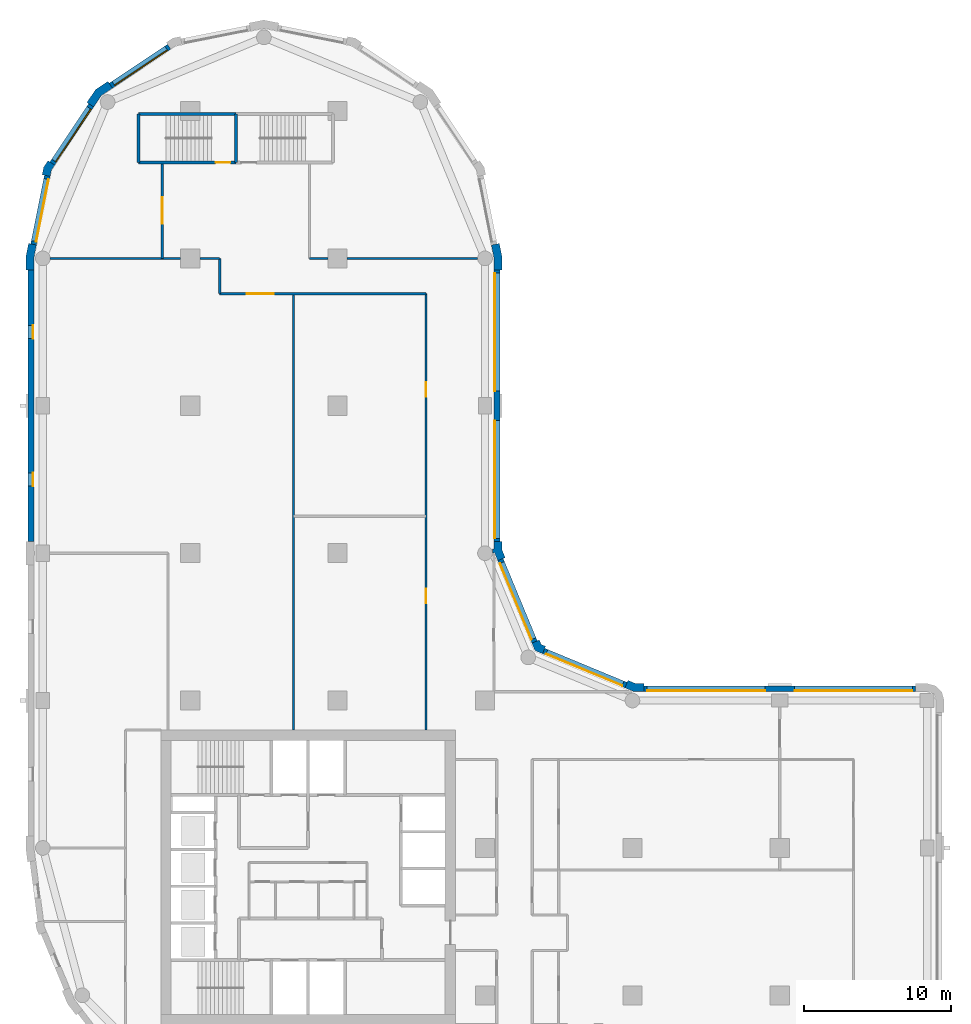
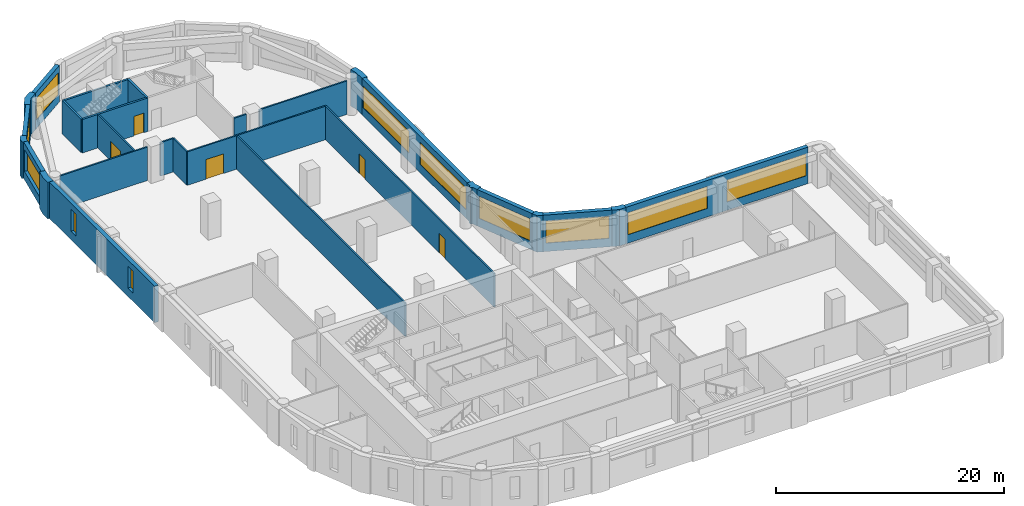
# One storey, part 6 of 9: 28 walls, 11 windows, 5 doors, 16 openings.
"""IFC4 building model written with IfcOpenShell, lengths in metres."""

from ifc_helpers import new_model, si_unit, direction, frame, frame_2d, origin, place, context, subcontext, project, spatial, polyline, rectangle, outline, extrude, material, layer, layer_set, type_object, element, fill, save


model = new_model("IFC4")

# Units and contexts
model_context = context("Model", 3, precision=1e-05, world=origin(), true_north=direction((0.0, 1.0)))
body_context = subcontext(model_context, "Body", "Model", "MODEL_VIEW")
ifc_project = project(units=[si_unit("LENGTHUNIT", "METRE"), si_unit("AREAUNIT", "SQUARE_METRE"), si_unit("VOLUMEUNIT", "CUBIC_METRE"), si_unit("PLANEANGLEUNIT", "RADIAN"), si_unit("MASSUNIT", "GRAM", prefix="KILO")], contexts=[model_context])

# Site, building, storey
site_placement = place(None, origin())
site = spatial("IfcSite", under=ifc_project, at=site_placement, CompositionType="ELEMENT")
building_placement = place(site_placement, origin())
building = spatial("IfcBuilding", under=site, at=building_placement, Name="Qaws Garden Tower", CompositionType="ELEMENT")
storey_placement = place(building_placement, frame((0.0, 0.0, 170.699951171875)))
storey = spatial("IfcBuildingStorey", under=building, at=storey_placement, Name="L41", CompositionType="ELEMENT", Elevation=170.699951171875)

# Wall, openings, windows
ifc_material_1 = material(Name="Clay facing brick masonry", Category="masonry")
ifc_layer_1 = layer(ifc_material_1, 0.39990234375)
ifc_layer_set_1 = layer_set([ifc_layer_1], Name="Clay facing brick masonry")
wall_type_1 = type_object("IfcWallType", Name="Brick infill wall 400", PredefinedType="SOLIDWALL", material=ifc_layer_set_1)
wall_1_placement = place(storey_placement, frame((59.199951171875, 30.800048828125, 0.0), z_axis=(0.0, 0.0, 1.0), x_axis=(-1.0, 0.0, 0.0)))
wall_1 = element("IfcWall", 1, at=wall_1_placement, inside=storey, type_object=wall_type_1, Name="E-L41-infill-07", PredefinedType="SOLIDWALL", context=body_context, shape_type="SweptSolid", body=[
    extrude(rectangle(XDim=18.39990234375, YDim=0.39990234375, at=frame_2d((9.199951171875, 0.0))), origin(), (0.0, 0.0, 1.0), 3.900146484375),
])
opening_1_placement = place(wall_1_placement, frame((0.199951171875, 0.0, 0.89990234375)))
opening_1 = element("IfcOpeningElement", 2, at=opening_1_placement, cuts=wall_1, Name="Opening W01", PredefinedType="OPENING", context=body_context, shape_type="SweptSolid", body=[
    extrude(rectangle(XDim=8.0, YDim=2.35009765625, at=frame_2d((4.0, 1.175048828125))), frame((0.0, 0.2099609375, 0.0), z_axis=(0.0, -1.0, 0.0), x_axis=(1.0, 0.0, 0.0)), (0.0, 0.0, 1.0), 0.419921875),
])
opening_2_placement = place(wall_1_placement, frame((10.199951171875, 0.0, 0.89990234375)))
opening_2 = element("IfcOpeningElement", 3, at=opening_2_placement, cuts=wall_1, Name="Opening W01", PredefinedType="OPENING", context=body_context, shape_type="SweptSolid", body=[
    extrude(rectangle(XDim=8.0, YDim=2.35009765625, at=frame_2d((4.0, 1.175048828125))), frame((0.0, 0.2099609375, 0.0), z_axis=(0.0, -1.0, 0.0), x_axis=(1.0, 0.0, 0.0)), (0.0, 0.0, 1.0), 0.419921875),
])
ifc_material_2 = material(Name="Aluminium framed window, clear glazing", Category="aluminium")
window_type_1 = type_object("IfcWindowType", Name="Ribbon window 8000 x 2350", PartitioningType="DOUBLE_PANEL_VERTICAL", PredefinedType="WINDOW", material=ifc_material_2)
window_1_placement = place(opening_1_placement, origin())
window_1 = element("IfcWindow", 4, at=window_1_placement, inside=storey, type_object=window_type_1, Name="E-L41-window-07-0", OverallHeight=2.35009765625, OverallWidth=8.0, PartitioningType="SINGLE_PANEL", PredefinedType="WINDOW", context=body_context, shape_type="SweptSolid", body=[
    extrude(rectangle(XDim=8.0, YDim=2.35009765625, at=frame_2d((4.0, 1.175048828125))), frame((0.0, 0.159912109375, 0.0), z_axis=(0.0, -1.0, 0.0), x_axis=(1.0, 0.0, 0.0)), (0.0, 0.0, 1.0), 0.06005859375),
])
fill(opening_1, window_1)
window_2_placement = place(opening_2_placement, origin())
window_2 = element("IfcWindow", 5, at=window_2_placement, inside=storey, type_object=window_type_1, Name="E-L41-window-08-0", OverallHeight=2.35009765625, OverallWidth=8.0, PartitioningType="SINGLE_PANEL", PredefinedType="WINDOW", context=body_context, shape_type="SweptSolid", body=[
    extrude(rectangle(XDim=8.0, YDim=2.35009765625, at=frame_2d((4.0, 1.175048828125))), frame((0.0, 0.159912109375, 0.0), z_axis=(0.0, -1.0, 0.0), x_axis=(1.0, 0.0, 0.0)), (0.0, 0.0, 1.0), 0.06005859375),
])
fill(opening_2, window_2)

# Wall, opening, window
wall_2_placement = place(storey_placement, frame((39.56689453125, 31.04541015625, 0.0), z_axis=(0.0, 0.0, 1.0), x_axis=(-0.923891000409, 0.382655745237, 0.0)))
wall_2 = element("IfcWall", 6, at=wall_2_placement, inside=storey, type_object=wall_type_1, Name="E-L41-infill-09", PredefinedType="SOLIDWALL", context=body_context, shape_type="SweptSolid", body=[
    extrude(rectangle(XDim=6.053466796875, YDim=0.39990234375, at=frame_2d((3.02685546875, 0.0))), origin(), (0.0, 0.0, 1.0), 3.900146484375),
])
opening_3_placement = place(wall_2_placement, frame((0.226806640625, 0.0, 0.89990234375)))
opening_3 = element("IfcOpeningElement", 7, at=opening_3_placement, cuts=wall_2, Name="Opening W04", PredefinedType="OPENING", context=body_context, shape_type="SweptSolid", body=[
    extrude(rectangle(XDim=5.60009765625, YDim=2.35009765625, at=frame_2d((2.800048828125, 1.175048828125))), frame((0.0, 0.2099609375, 0.0), z_axis=(0.0, -1.0, 0.0), x_axis=(1.0, 0.0, 0.0)), (0.0, 0.0, 1.0), 0.419921875),
])
ifc_material_3 = material(Name="Aluminium framed window, clear glazing", Category="aluminium")
window_type_2 = type_object("IfcWindowType", Name="Ribbon window 5600 x 2350", PartitioningType="DOUBLE_PANEL_VERTICAL", PredefinedType="WINDOW", material=ifc_material_3)
window_3_placement = place(opening_3_placement, origin())
window_3 = element("IfcWindow", 8, at=window_3_placement, inside=storey, type_object=window_type_2, Name="E-L41-window-09-0", OverallHeight=2.35009765625, OverallWidth=5.60009765625, PartitioningType="SINGLE_PANEL", PredefinedType="WINDOW", context=body_context, shape_type="SweptSolid", body=[
    extrude(rectangle(XDim=5.60009765625, YDim=2.35009765625, at=frame_2d((2.800048828125, 1.175048828125))), frame((0.0, 0.159912109375, 0.0), z_axis=(0.0, -1.0, 0.0), x_axis=(1.0, 0.0, 0.0)), (0.0, 0.0, 1.0), 0.06005859375),
])
fill(opening_3, window_3)

wall_3_placement = place(storey_placement, frame((33.36181640625, 33.97412109375, 0.0), z_axis=(0.0, 0.0, 1.0), x_axis=(-0.382655745237, 0.923891000409, 0.0)))
wall_3 = element("IfcWall", 9, at=wall_3_placement, inside=storey, type_object=wall_type_1, Name="E-L41-infill-10", PredefinedType="SOLIDWALL", context=body_context, shape_type="SweptSolid", body=[
    extrude(rectangle(XDim=6.053466796875, YDim=0.39990234375, at=frame_2d((3.02685546875, 0.0))), origin(), (0.0, 0.0, 1.0), 3.900146484375),
])
opening_4_placement = place(wall_3_placement, frame((0.226806640625, 0.0, 0.89990234375)))
opening_4 = element("IfcOpeningElement", 10, at=opening_4_placement, cuts=wall_3, Name="Opening W04", PredefinedType="OPENING", context=body_context, shape_type="SweptSolid", body=[
    extrude(rectangle(XDim=5.60009765625, YDim=2.35009765625, at=frame_2d((2.800048828125, 1.175048828125))), frame((0.0, 0.2099609375, 0.0), z_axis=(0.0, -1.0, 0.0), x_axis=(1.0, 0.0, 0.0)), (0.0, 0.0, 1.0), 0.419921875),
])
window_4_placement = place(opening_4_placement, origin())
window_4 = element("IfcWindow", 11, at=window_4_placement, inside=storey, type_object=window_type_2, Name="E-L41-window-10-0", OverallHeight=2.35009765625, OverallWidth=5.60009765625, PartitioningType="SINGLE_PANEL", PredefinedType="WINDOW", context=body_context, shape_type="SweptSolid", body=[
    extrude(rectangle(XDim=5.60009765625, YDim=2.35009765625, at=frame_2d((2.800048828125, 1.175048828125))), frame((0.0, 0.159912109375, 0.0), z_axis=(0.0, -1.0, 0.0), x_axis=(1.0, 0.0, 0.0)), (0.0, 0.0, 1.0), 0.06005859375),
])
fill(opening_4, window_4)

# Wall, openings, windows
wall_4_placement = place(storey_placement, frame((30.800048828125, 40.800048828125, 0.0), z_axis=(0.0, 0.0, 1.0), x_axis=(0.0, 1.0, 0.0)))
wall_4 = element("IfcWall", 12, at=wall_4_placement, inside=storey, type_object=wall_type_1, Name="E-L41-infill-11", PredefinedType="SOLIDWALL", context=body_context, shape_type="SweptSolid", body=[
    extrude(rectangle(XDim=18.39990234375, YDim=0.39990234375, at=frame_2d((9.199951171875, 0.0))), origin(), (0.0, 0.0, 1.0), 3.900146484375),
])
opening_5_placement = place(wall_4_placement, frame((0.199951171875, 0.0, 0.89990234375)))
opening_5 = element("IfcOpeningElement", 13, at=opening_5_placement, cuts=wall_4, Name="Opening W01", PredefinedType="OPENING", context=body_context, shape_type="SweptSolid", body=[
    extrude(rectangle(XDim=8.0, YDim=2.35009765625, at=frame_2d((4.0, 1.175048828125))), frame((0.0, 0.2099609375, 0.0), z_axis=(0.0, -1.0, 0.0), x_axis=(1.0, 0.0, 0.0)), (0.0, 0.0, 1.0), 0.419921875),
])
opening_6_placement = place(wall_4_placement, frame((10.199951171875, 0.0, 0.89990234375)))
opening_6 = element("IfcOpeningElement", 14, at=opening_6_placement, cuts=wall_4, Name="Opening W01", PredefinedType="OPENING", context=body_context, shape_type="SweptSolid", body=[
    extrude(rectangle(XDim=8.0, YDim=2.35009765625, at=frame_2d((4.0, 1.175048828125))), frame((0.0, 0.2099609375, 0.0), z_axis=(0.0, -1.0, 0.0), x_axis=(1.0, 0.0, 0.0)), (0.0, 0.0, 1.0), 0.419921875),
])
window_5_placement = place(opening_5_placement, origin())
window_5 = element("IfcWindow", 15, at=window_5_placement, inside=storey, type_object=window_type_1, Name="E-L41-window-11-0", OverallHeight=2.35009765625, OverallWidth=8.0, PartitioningType="SINGLE_PANEL", PredefinedType="WINDOW", context=body_context, shape_type="SweptSolid", body=[
    extrude(rectangle(XDim=8.0, YDim=2.35009765625, at=frame_2d((4.0, 1.175048828125))), frame((0.0, 0.159912109375, 0.0), z_axis=(0.0, -1.0, 0.0), x_axis=(1.0, 0.0, 0.0)), (0.0, 0.0, 1.0), 0.06005859375),
])
fill(opening_5, window_5)
window_6_placement = place(opening_6_placement, origin())
window_6 = element("IfcWindow", 16, at=window_6_placement, inside=storey, type_object=window_type_1, Name="E-L41-window-12-0", OverallHeight=2.35009765625, OverallWidth=8.0, PartitioningType="SINGLE_PANEL", PredefinedType="WINDOW", context=body_context, shape_type="SweptSolid", body=[
    extrude(rectangle(XDim=8.0, YDim=2.35009765625, at=frame_2d((4.0, 1.175048828125))), frame((0.0, 0.159912109375, 0.0), z_axis=(0.0, -1.0, 0.0), x_axis=(1.0, 0.0, 0.0)), (0.0, 0.0, 1.0), 0.06005859375),
])
fill(opening_6, window_6)

# Wall, opening, window
wall_5_placement = place(storey_placement, frame((8.56591796875, 74.356689453125, 0.0), z_axis=(0.0, 0.0, 1.0), x_axis=(-0.831488775454, -0.555541552266, 0.0)))
wall_5 = element("IfcWall", 17, at=wall_5_placement, inside=storey, type_object=wall_type_1, Name="E-L41-infill-18", PredefinedType="SOLIDWALL", context=body_context, shape_type="SweptSolid", body=[
    extrude(rectangle(XDim=4.752685546875, YDim=0.39990234375, at=frame_2d((2.37646484375, 0.0))), origin(), (0.0, 0.0, 1.0), 3.900146484375),
])
opening_7_placement = place(wall_5_placement, frame((0.226318359375, 0.0, 0.89990234375)))
opening_7 = element("IfcOpeningElement", 18, at=opening_7_placement, cuts=wall_5, Name="Opening W06", PredefinedType="OPENING", context=body_context, shape_type="SweptSolid", body=[
    extrude(rectangle(XDim=4.300048828125, YDim=2.35009765625, at=frame_2d((2.14990234375, 1.175048828125))), frame((0.0, 0.2099609375, 0.0), z_axis=(0.0, -1.0, 0.0), x_axis=(1.0, 0.0, 0.0)), (0.0, 0.0, 1.0), 0.419921875),
])
ifc_material_4 = material(Name="Aluminium framed window, clear glazing", Category="aluminium")
window_type_3 = type_object("IfcWindowType", Name="Ribbon window 4300 x 2350", PartitioningType="DOUBLE_PANEL_VERTICAL", PredefinedType="WINDOW", material=ifc_material_4)
window_7_placement = place(opening_7_placement, origin())
window_7 = element("IfcWindow", 19, at=window_7_placement, inside=storey, type_object=window_type_3, Name="E-L41-window-18-0", OverallHeight=2.35009765625, OverallWidth=4.300048828125, PartitioningType="SINGLE_PANEL", PredefinedType="WINDOW", context=body_context, shape_type="SweptSolid", body=[
    extrude(rectangle(XDim=4.300048828125, YDim=2.35009765625, at=frame_2d((2.14990234375, 1.175048828125))), frame((0.0, 0.159912109375, 0.0), z_axis=(0.0, -1.0, 0.0), x_axis=(1.0, 0.0, 0.0)), (0.0, 0.0, 1.0), 0.06005859375),
])
fill(opening_7, window_7)

wall_6_placement = place(storey_placement, frame((3.28369140625, 70.385986328125, 0.0), z_axis=(0.0, 0.0, 1.0), x_axis=(-0.555541552266, -0.831488775454, 0.0)))
wall_6 = element("IfcWall", 20, at=wall_6_placement, inside=storey, type_object=wall_type_1, Name="E-L41-infill-19", PredefinedType="SOLIDWALL", context=body_context, shape_type="SweptSolid", body=[
    extrude(rectangle(XDim=4.752685546875, YDim=0.39990234375, at=frame_2d((2.37646484375, 0.0))), origin(), (0.0, 0.0, 1.0), 3.900146484375),
])
opening_8_placement = place(wall_6_placement, frame((0.226318359375, 0.0, 0.89990234375)))
opening_8 = element("IfcOpeningElement", 21, at=opening_8_placement, cuts=wall_6, Name="Opening W06", PredefinedType="OPENING", context=body_context, shape_type="SweptSolid", body=[
    extrude(rectangle(XDim=4.300048828125, YDim=2.35009765625, at=frame_2d((2.14990234375, 1.175048828125))), frame((0.0, 0.2099609375, 0.0), z_axis=(0.0, -1.0, 0.0), x_axis=(1.0, 0.0, 0.0)), (0.0, 0.0, 1.0), 0.419921875),
])
window_8_placement = place(opening_8_placement, origin())
window_8 = element("IfcWindow", 22, at=window_8_placement, inside=storey, type_object=window_type_3, Name="E-L41-window-19-0", OverallHeight=2.35009765625, OverallWidth=4.300048828125, PartitioningType="SINGLE_PANEL", PredefinedType="WINDOW", context=body_context, shape_type="SweptSolid", body=[
    extrude(rectangle(XDim=4.300048828125, YDim=2.35009765625, at=frame_2d((2.14990234375, 1.175048828125))), frame((0.0, 0.159912109375, 0.0), z_axis=(0.0, -1.0, 0.0), x_axis=(1.0, 0.0, 0.0)), (0.0, 0.0, 1.0), 0.06005859375),
])
fill(opening_8, window_8)

wall_7_placement = place(storey_placement, frame((0.298583984375, 65.60205078125, 0.0), z_axis=(0.0, 0.0, 1.0), x_axis=(-0.195098533057, -0.98078364709, 0.0)))
wall_7 = element("IfcWall", 23, at=wall_7_placement, inside=storey, type_object=wall_type_1, Name="E-L41-infill-20", PredefinedType="SOLIDWALL", context=body_context, shape_type="SweptSolid", body=[
    extrude(rectangle(XDim=4.752685546875, YDim=0.39990234375, at=frame_2d((2.37646484375, 0.0))), origin(), (0.0, 0.0, 1.0), 3.900146484375),
])
opening_9_placement = place(wall_7_placement, frame((0.226318359375, 0.0, 0.89990234375)))
opening_9 = element("IfcOpeningElement", 24, at=opening_9_placement, cuts=wall_7, Name="Opening W06", PredefinedType="OPENING", context=body_context, shape_type="SweptSolid", body=[
    extrude(rectangle(XDim=4.300048828125, YDim=2.35009765625, at=frame_2d((2.14990234375, 1.175048828125))), frame((0.0, 0.2099609375, 0.0), z_axis=(0.0, -1.0, 0.0), x_axis=(1.0, 0.0, 0.0)), (0.0, 0.0, 1.0), 0.419921875),
])
window_9_placement = place(opening_9_placement, origin())
window_9 = element("IfcWindow", 25, at=window_9_placement, inside=storey, type_object=window_type_3, Name="E-L41-window-20-0", OverallHeight=2.35009765625, OverallWidth=4.300048828125, PartitioningType="SINGLE_PANEL", PredefinedType="WINDOW", context=body_context, shape_type="SweptSolid", body=[
    extrude(rectangle(XDim=4.300048828125, YDim=2.35009765625, at=frame_2d((2.14990234375, 1.175048828125))), frame((0.0, 0.159912109375, 0.0), z_axis=(0.0, -1.0, 0.0), x_axis=(1.0, 0.0, 0.0)), (0.0, 0.0, 1.0), 0.06005859375),
])
fill(opening_9, window_9)

# Wall, openings, windows
wall_8_placement = place(storey_placement, frame((-0.800048828125, 59.199951171875, 0.0), z_axis=(0.0, 0.0, 1.0), x_axis=(0.0, -1.0, 0.0)))
wall_8 = element("IfcWall", 26, at=wall_8_placement, inside=storey, type_object=wall_type_1, Name="E-L41-infill-21", PredefinedType="SOLIDWALL", context=body_context, shape_type="SweptSolid", body=[
    extrude(rectangle(XDim=18.39990234375, YDim=0.39990234375, at=frame_2d((9.199951171875, 0.0))), origin(), (0.0, 0.0, 1.0), 3.900146484375),
])
opening_10_placement = place(wall_8_placement, frame((3.75, 0.0, 0.89990234375)))
opening_10 = element("IfcOpeningElement", 27, at=opening_10_placement, cuts=wall_8, Name="Opening W09", PredefinedType="OPENING", context=body_context, shape_type="SweptSolid", body=[
    extrude(rectangle(XDim=0.89990234375, YDim=2.35009765625, at=frame_2d((0.449951171875, 1.175048828125))), frame((0.0, 0.2099609375, 0.0), z_axis=(0.0, -1.0, 0.0), x_axis=(1.0, 0.0, 0.0)), (0.0, 0.0, 1.0), 0.419921875),
])
opening_11_placement = place(wall_8_placement, frame((13.75, 0.0, 0.89990234375)))
opening_11 = element("IfcOpeningElement", 28, at=opening_11_placement, cuts=wall_8, Name="Opening W09", PredefinedType="OPENING", context=body_context, shape_type="SweptSolid", body=[
    extrude(rectangle(XDim=0.89990234375, YDim=2.35009765625, at=frame_2d((0.449951171875, 1.175048828125))), frame((0.0, 0.2099609375, 0.0), z_axis=(0.0, -1.0, 0.0), x_axis=(1.0, 0.0, 0.0)), (0.0, 0.0, 1.0), 0.419921875),
])
ifc_material_5 = material(Name="Aluminium framed window, clear glazing", Category="aluminium")
window_type_4 = type_object("IfcWindowType", Name="Slit window 900 x 2350", PartitioningType="SINGLE_PANEL", PredefinedType="WINDOW", material=ifc_material_5)
window_10_placement = place(opening_10_placement, origin())
window_10 = element("IfcWindow", 29, at=window_10_placement, inside=storey, type_object=window_type_4, Name="E-L41-window-21-0", OverallHeight=2.35009765625, OverallWidth=0.89990234375, PartitioningType="SINGLE_PANEL", PredefinedType="WINDOW", context=body_context, shape_type="SweptSolid", body=[
    extrude(rectangle(XDim=0.89990234375, YDim=2.35009765625, at=frame_2d((0.449951171875, 1.175048828125))), frame((0.0, 0.159912109375, 0.0), z_axis=(0.0, -1.0, 0.0), x_axis=(1.0, 0.0, 0.0)), (0.0, 0.0, 1.0), 0.06005859375),
])
fill(opening_10, window_10)
window_11_placement = place(opening_11_placement, origin())
window_11 = element("IfcWindow", 30, at=window_11_placement, inside=storey, type_object=window_type_4, Name="E-L41-window-22-0", OverallHeight=2.35009765625, OverallWidth=0.89990234375, PartitioningType="SINGLE_PANEL", PredefinedType="WINDOW", context=body_context, shape_type="SweptSolid", body=[
    extrude(rectangle(XDim=0.89990234375, YDim=2.35009765625, at=frame_2d((0.449951171875, 1.175048828125))), frame((0.0, 0.159912109375, 0.0), z_axis=(0.0, -1.0, 0.0), x_axis=(1.0, 0.0, 0.0)), (0.0, 0.0, 1.0), 0.06005859375),
])
fill(opening_11, window_11)

# Walls
ifc_material_6 = material(Name="Clay facing brick masonry", Category="masonry")
ifc_layer_2 = layer(ifc_material_6, 0.550048828125)
ifc_layer_set_2 = layer_set([ifc_layer_2], Name="Clay facing brick masonry")
wall_type_2 = type_object("IfcWallType", Name="Brick kink pier 550 x 600", PredefinedType="SOLIDWALL", material=ifc_layer_set_2)
placement = place(storey_placement, origin())
element("IfcWall", 31, at=placement, inside=storey, type_object=wall_type_2, Name="E-L41-pier-20", PredefinedType="SOLIDWALL", context=body_context, shape_type="SweptSolid", body=[
    extrude(outline(polyline([(0.47705078125, 66.545166015625), (0.352294921875, 66.628662109375), (0.05859375, 66.18896484375), (-0.044677734375, 65.67041015625), (0.1025390625, 65.64111328125), (0.494873046875, 65.56298828125), (0.57666015625, 65.974365234375), (0.8095703125, 66.322998046875), (0.47705078125, 66.545166015625)])), origin(), (0.0, 0.0, 1.0), 3.900146484375),
])
ifc_material_7 = material(Name="Clay facing brick masonry", Category="masonry")
ifc_layer_3 = layer(ifc_material_7, 0.550048828125)
ifc_layer_set_3 = layer_set([ifc_layer_3], Name="Clay facing brick masonry")
wall_type_3 = type_object("IfcWallType", Name="Brick pier 550 x 1600", PredefinedType="SOLIDWALL", material=ifc_layer_set_3)
element("IfcWall", 32, at=placement, inside=storey, type_object=wall_type_3, Name="E-L41-pier-09", PredefinedType="SOLIDWALL", context=body_context, shape_type="SweptSolid", body=[
    extrude(outline(polyline([(40.800048828125, 31.0), (40.800048828125, 31.14990234375), (40.228759765625, 31.14990234375), (39.700927734375, 31.36865234375), (39.6435546875, 31.22998046875), (39.490478515625, 30.860595703125), (40.119384765625, 30.60009765625), (40.800048828125, 30.60009765625), (40.800048828125, 31.0)])), origin(), (0.0, 0.0, 1.0), 3.900146484375),
])
element("IfcWall", 33, at=placement, inside=storey, type_object=wall_type_3, Name="E-L41-pier-10", PredefinedType="SOLIDWALL", context=body_context, shape_type="SweptSolid", body=[
    extrude(outline(polyline([(34.05078125, 33.546630859375), (34.108154296875, 33.685302734375), (33.80908203125, 33.80908203125), (33.685302734375, 34.108154296875), (33.546630859375, 34.05078125), (33.177001953125, 33.897705078125), (33.38818359375, 33.38818359375), (33.897705078125, 33.177001953125), (34.05078125, 33.546630859375)])), origin(), (0.0, 0.0, 1.0), 3.900146484375),
])
element("IfcWall", 34, at=placement, inside=storey, type_object=wall_type_3, Name="E-L41-pier-11", PredefinedType="SOLIDWALL", context=body_context, shape_type="SweptSolid", body=[
    extrude(outline(polyline([(30.6201171875, 39.995361328125), (30.6201171875, 40.071044921875), (30.860595703125, 39.490478515625), (31.22998046875, 39.6435546875), (31.36865234375, 39.700927734375), (31.14990234375, 40.228759765625), (31.14990234375, 40.800048828125), (31.0, 40.800048828125), (30.60009765625, 40.800048828125), (30.60009765625, 40.29541015625), (30.5, 40.29541015625), (30.5, 39.995361328125), (30.6201171875, 39.995361328125)])), origin(), (0.0, 0.0, 1.0), 3.900146484375),
])
element("IfcWall", 35, at=placement, inside=storey, type_object=wall_type_3, Name="E-L41-pier-13", PredefinedType="SOLIDWALL", context=body_context, shape_type="SweptSolid", body=[
    extrude(outline(polyline([(31.0, 59.199951171875), (31.14990234375, 59.199951171875), (31.14990234375, 60.11328125), (30.971923828125, 61.009033203125), (30.82470703125, 60.979736328125), (30.432373046875, 60.901611328125), (30.60009765625, 60.05908203125), (30.60009765625, 59.199951171875), (31.0, 59.199951171875)])), origin(), (0.0, 0.0, 1.0), 3.900146484375),
])
element("IfcWall", 36, at=placement, inside=storey, type_object=wall_type_3, Name="E-L41-pier-19", PredefinedType="SOLIDWALL", context=body_context, shape_type="SweptSolid", body=[
    extrude(outline(polyline([(4.5029296875, 71.882568359375), (4.419677734375, 72.00732421875), (3.564208984375, 71.435791015625), (2.99267578125, 70.580322265625), (3.117431640625, 70.4970703125), (3.449951171875, 70.274658203125), (3.9609375, 71.0390625), (4.725341796875, 71.550048828125), (4.5029296875, 71.882568359375)])), origin(), (0.0, 0.0, 1.0), 3.900146484375),
])
element("IfcWall", 37, at=placement, inside=storey, type_object=wall_type_3, Name="E-L41-pier-21", PredefinedType="SOLIDWALL", context=body_context, shape_type="SweptSolid", body=[
    extrude(outline(polyline([(-0.82470703125, 60.979736328125), (-0.971923828125, 61.009033203125), (-1.14990234375, 60.11328125), (-1.14990234375, 59.199951171875), (-1.0, 59.199951171875), (-0.60009765625, 59.199951171875), (-0.60009765625, 60.05908203125), (-0.432373046875, 60.901611328125), (-0.82470703125, 60.979736328125)])), origin(), (0.0, 0.0, 1.0), 3.900146484375),
])

# Wall, opening, door
ifc_material_8 = material(Name="Concrete C70", Category="concrete")
ifc_layer_4 = layer(ifc_material_8, 0.199951171875)
ifc_layer_set_4 = layer_set([ifc_layer_4], Name="Concrete C70")
wall_type_4 = type_object("IfcWallType", Name="Core shaft wall 200 C70", PredefinedType="SHEAR", material=ifc_layer_set_4)
wall_16_placement = place(storey_placement, frame((6.5, 66.5, 0.0), z_axis=(0.0, 0.0, 1.0), x_axis=(1.0, 0.0, 0.0)))
wall_16 = element("IfcWall", 38, at=wall_16_placement, inside=storey, type_object=wall_type_4, Name="Shaft wall", PredefinedType="SHEAR", context=body_context, shape_type="SweptSolid", body=[
    extrude(rectangle(XDim=6.60009765625, YDim=0.199951171875, at=frame_2d((3.300048828125, 0.0))), origin(), (0.0, 0.0, 1.0), 3.580078125),
])
opening_12_placement = place(wall_16_placement, frame((5.22509765625, 0.0, 0.0)))
opening_12 = element("IfcOpeningElement", 39, at=opening_12_placement, cuts=wall_16, Name="Opening SD13", PredefinedType="OPENING", context=body_context, shape_type="SweptSolid", body=[
    extrude(rectangle(XDim=1.0, YDim=2.10009765625, at=frame_2d((0.5, 1.050048828125))), frame((0.0, 0.10986328125, 0.0), z_axis=(0.0, -1.0, 0.0), x_axis=(1.0, 0.0, 0.0)), (0.0, 0.0, 1.0), 0.219970703125),
])
ifc_material_9 = material(Name="Steel S235", Category="steel")
door_type_1 = type_object("IfcDoorType", Name="Stair door 1000x2100", OperationType="SINGLE_SWING_RIGHT", PredefinedType="DOOR", material=ifc_material_9)
door_1_placement = place(opening_12_placement, origin())
door_1 = element("IfcDoor", 40, at=door_1_placement, inside=storey, type_object=door_type_1, Name="Stair 6 door", OperationType="SINGLE_SWING_RIGHT", OverallHeight=2.10009765625, OverallWidth=1.0, PredefinedType="DOOR", context=body_context, shape_type="SweptSolid", body=[
    extrude(rectangle(XDim=1.0, YDim=2.10009765625, at=frame_2d((0.5, 1.050048828125))), frame((0.0, 0.02490234375, 0.0), z_axis=(0.0, -1.0, 0.0), x_axis=(1.0, 0.0, 0.0)), (0.0, 0.0, 1.0), 0.050048828125),
])
fill(opening_12, door_1)

# Walls
wall_17_placement = place(storey_placement, frame((6.5, 69.800048828125, 0.0), z_axis=(0.0, 0.0, 1.0), x_axis=(1.0, 0.0, 0.0)))
element("IfcWall", 41, at=wall_17_placement, inside=storey, type_object=wall_type_4, Name="Shaft wall", PredefinedType="SHEAR", context=body_context, shape_type="SweptSolid", body=[
    extrude(rectangle(XDim=6.60009765625, YDim=0.199951171875, at=frame_2d((3.300048828125, 0.0))), origin(), (0.0, 0.0, 1.0), 3.580078125),
])
for number, where, z_axis, x_axis, name in (
    (42, (6.5, 66.5, 0.0), (0.0, 0.0, 1.0), (0.0, 1.0, 0.0), "Shaft wall"),
    (43, (13.10009765625, 66.5, 0.0), (0.0, 0.0, 1.0), (0.0, 1.0, 0.0), "Shaft wall"),
):
    element("IfcWall", number, at=place(storey_placement, frame(where, z_axis=z_axis, x_axis=x_axis)), inside=storey, type_object=wall_type_4, Name=name, PredefinedType="SHEAR", context=body_context, shape_type="SweptSolid", body=[
        extrude(rectangle(XDim=3.300048828125, YDim=0.199951171875, at=frame_2d((1.64990234375, 0.0))), origin(), (0.0, 0.0, 1.0), 3.580078125),
    ])

# Wall, opening, door
ifc_material_10 = material(Name="Gypsum board partition")
ifc_layer_5 = layer(ifc_material_10, 0.14990234375)
ifc_layer_set_5 = layer_set([ifc_layer_5], Name="Gypsum board partition")
wall_type_5 = type_object("IfcWallType", Name="PARTITION 150 EI 60", PredefinedType="PARTITIONING", material=ifc_layer_set_5)
wall_18_placement = place(storey_placement, frame((8.10009765625, 60.0, 0.0), z_axis=(0.0, 0.0, 1.0), x_axis=(0.0, 1.0, 0.0)))
wall_18 = element("IfcWall", 44, at=wall_18_placement, inside=storey, type_object=wall_type_5, Name="O-L41-wall-007", PredefinedType="PARTITIONING", context=body_context, shape_type="SweptSolid", body=[
    extrude(rectangle(XDim=6.39990234375, YDim=0.14990234375, at=frame_2d((3.199951171875, 0.0))), origin(), (0.0, 0.0, 1.0), 3.580078125),
])
opening_13_placement = place(wall_18_placement, frame((2.35009765625, 0.0, 0.0)))
opening_13 = element("IfcOpeningElement", 45, at=opening_13_placement, cuts=wall_18, Name="Opening B412", PredefinedType="OPENING", context=body_context, shape_type="SweptSolid", body=[
    extrude(rectangle(XDim=1.800048828125, YDim=2.10009765625, at=frame_2d((0.89990234375, 1.050048828125))), frame((0.0, 0.0849609375, 0.0), z_axis=(0.0, -1.0, 0.0), x_axis=(1.0, 0.0, 0.0)), (0.0, 0.0, 1.0), 0.169921875),
])
ifc_material_11 = material(Name="Timber door leaf", Category="wood")
door_type_2 = type_object("IfcDoorType", Name="DOUBLE DOOR 1800 X 2100", OperationType="DOUBLE_DOOR_SINGLE_SWING", PredefinedType="DOOR", material=ifc_material_11)
door_2_placement = place(opening_13_placement, origin())
door_2 = element("IfcDoor", 46, at=door_2_placement, inside=storey, type_object=door_type_2, Name="O-L41-door-012", OperationType="DOUBLE_DOOR_SINGLE_SWING", OverallHeight=2.10009765625, OverallWidth=1.800048828125, PredefinedType="DOOR", context=body_context, shape_type="SweptSolid", body=[
    extrude(rectangle(XDim=1.800048828125, YDim=2.10009765625, at=frame_2d((0.89990234375, 1.050048828125))), frame((0.0, 0.02490234375, 0.0), z_axis=(0.0, -1.0, 0.0), x_axis=(1.0, 0.0, 0.0)), (0.0, 0.0, 1.0), 0.050048828125),
])
fill(opening_13, door_2)

# Walls
wall_19_placement = place(storey_placement, frame((12.0, 57.60009765625, 0.0), z_axis=(0.0, 0.0, 1.0), x_axis=(0.0, 1.0, 0.0)))
element("IfcWall", 47, at=wall_19_placement, inside=storey, type_object=wall_type_5, Name="O-L41-wall-009", PredefinedType="PARTITIONING", context=body_context, shape_type="SweptSolid", body=[
    extrude(rectangle(XDim=2.39990234375, YDim=0.14990234375, at=frame_2d((1.199951171875, 0.0))), origin(), (0.0, 0.0, 1.0), 3.580078125),
])
wall_20_placement = place(storey_placement, frame((17.0, 28.0, 0.0), z_axis=(0.0, 0.0, 1.0), x_axis=(0.0, 1.0, 0.0)))
element("IfcWall", 48, at=wall_20_placement, inside=storey, type_object=wall_type_5, Name="O-L41-wall-011", PredefinedType="PARTITIONING", context=body_context, shape_type="SweptSolid", body=[
    extrude(rectangle(XDim=29.60009765625, YDim=0.14990234375, at=frame_2d((14.800048828125, 0.0))), origin(), (0.0, 0.0, 1.0), 3.580078125),
])

# Wall, openings, doors
wall_21_placement = place(storey_placement, frame((26.0, 28.0, 0.0), z_axis=(0.0, 0.0, 1.0), x_axis=(0.0, 1.0, 0.0)))
wall_21 = element("IfcWall", 49, at=wall_21_placement, inside=storey, type_object=wall_type_5, Name="O-L41-wall-014", PredefinedType="PARTITIONING", context=body_context, shape_type="SweptSolid", body=[
    extrude(rectangle(XDim=29.60009765625, YDim=0.14990234375, at=frame_2d((14.800048828125, 0.0))), origin(), (0.0, 0.0, 1.0), 3.580078125),
])
opening_14_placement = place(wall_21_placement, frame((8.60009765625, 0.0, 0.0)))
opening_14 = element("IfcOpeningElement", 50, at=opening_14_placement, cuts=wall_21, Name="Opening B407", PredefinedType="OPENING", context=body_context, shape_type="SweptSolid", body=[
    extrude(rectangle(XDim=1.0, YDim=2.10009765625, at=frame_2d((0.5, 1.050048828125))), frame((0.0, 0.0849609375, 0.0), z_axis=(0.0, -1.0, 0.0), x_axis=(1.0, 0.0, 0.0)), (0.0, 0.0, 1.0), 0.169921875),
])
opening_15_placement = place(wall_21_placement, frame((22.60009765625, 0.0, 0.0)))
opening_15 = element("IfcOpeningElement", 51, at=opening_15_placement, cuts=wall_21, Name="Opening B408", PredefinedType="OPENING", context=body_context, shape_type="SweptSolid", body=[
    extrude(rectangle(XDim=1.0, YDim=2.10009765625, at=frame_2d((0.5, 1.050048828125))), frame((0.0, 0.0849609375, 0.0), z_axis=(0.0, -1.0, 0.0), x_axis=(1.0, 0.0, 0.0)), (0.0, 0.0, 1.0), 0.169921875),
])
ifc_material_12 = material(Name="Timber door leaf", Category="wood")
door_type_3 = type_object("IfcDoorType", Name="TENANCY ENTRANCE DOOR 1000 X 2100", OperationType="SINGLE_SWING_LEFT", PredefinedType="DOOR", material=ifc_material_12)
door_3_placement = place(opening_14_placement, origin())
door_3 = element("IfcDoor", 52, at=door_3_placement, inside=storey, type_object=door_type_3, Name="O-L41-door-007", OperationType="SINGLE_SWING_LEFT", OverallHeight=2.10009765625, OverallWidth=1.0, PredefinedType="DOOR", context=body_context, shape_type="SweptSolid", body=[
    extrude(rectangle(XDim=1.0, YDim=2.10009765625, at=frame_2d((0.5, 1.050048828125))), frame((0.0, 0.02490234375, 0.0), z_axis=(0.0, -1.0, 0.0), x_axis=(1.0, 0.0, 0.0)), (0.0, 0.0, 1.0), 0.050048828125),
])
fill(opening_14, door_3)
door_4_placement = place(opening_15_placement, origin())
door_4 = element("IfcDoor", 53, at=door_4_placement, inside=storey, type_object=door_type_3, Name="O-L41-door-008", OperationType="SINGLE_SWING_LEFT", OverallHeight=2.10009765625, OverallWidth=1.0, PredefinedType="DOOR", context=body_context, shape_type="SweptSolid", body=[
    extrude(rectangle(XDim=1.0, YDim=2.10009765625, at=frame_2d((0.5, 1.050048828125))), frame((0.0, 0.02490234375, 0.0), z_axis=(0.0, -1.0, 0.0), x_axis=(1.0, 0.0, 0.0)), (0.0, 0.0, 1.0), 0.050048828125),
])
fill(opening_15, door_4)

# Wall, opening, door
wall_22_placement = place(storey_placement, frame((12.0, 57.60009765625, 0.0), z_axis=(0.0, 0.0, 1.0), x_axis=(1.0, 0.0, 0.0)))
wall_22 = element("IfcWall", 54, at=wall_22_placement, inside=storey, type_object=wall_type_5, Name="O-L41-wall-048", PredefinedType="PARTITIONING", context=body_context, shape_type="SweptSolid", body=[
    extrude(rectangle(XDim=14.0, YDim=0.14990234375, at=frame_2d((7.0, 0.0))), origin(), (0.0, 0.0, 1.0), 3.580078125),
])
opening_16_placement = place(wall_22_placement, frame((1.85009765625, 0.0, 0.0)))
opening_16 = element("IfcOpeningElement", 55, at=opening_16_placement, cuts=wall_22, Name="Opening B409", PredefinedType="OPENING", context=body_context, shape_type="SweptSolid", body=[
    extrude(rectangle(XDim=1.800048828125, YDim=2.10009765625, at=frame_2d((0.89990234375, 1.050048828125))), frame((0.0, 0.0849609375, 0.0), z_axis=(0.0, -1.0, 0.0), x_axis=(1.0, 0.0, 0.0)), (0.0, 0.0, 1.0), 0.169921875),
])
door_5_placement = place(opening_16_placement, frame((1.800048828125, 0.0, 0.0), z_axis=(0.0, 0.0, 1.0), x_axis=(-1.0, 0.0, 0.0)))
door_5 = element("IfcDoor", 56, at=door_5_placement, inside=storey, type_object=door_type_2, Name="O-L41-door-009", OperationType="DOUBLE_DOOR_SINGLE_SWING", OverallHeight=2.10009765625, OverallWidth=1.800048828125, PredefinedType="DOOR", context=body_context, shape_type="SweptSolid", body=[
    extrude(rectangle(XDim=1.800048828125, YDim=2.10009765625, at=frame_2d((0.89990234375, 1.050048828125))), frame((0.0, 0.02490234375, 0.0), z_axis=(0.0, -1.0, 0.0), x_axis=(1.0, 0.0, 0.0)), (0.0, 0.0, 1.0), 0.050048828125),
])
fill(opening_16, door_5)

# Walls
wall_23_placement = place(storey_placement, frame((0.5, 60.0, 0.0), z_axis=(0.0, 0.0, 1.0), x_axis=(1.0, 0.0, 0.0)))
element("IfcWall", 57, at=wall_23_placement, inside=storey, type_object=wall_type_5, Name="O-L41-wall-049", PredefinedType="PARTITIONING", context=body_context, shape_type="SweptSolid", body=[
    extrude(rectangle(XDim=8.85009765625, YDim=0.14990234375, at=frame_2d((4.425048828125, 0.0))), origin(), (0.0, 0.0, 1.0), 3.580078125),
])
wall_24_placement = place(storey_placement, frame((10.64990234375, 60.0, 0.0), z_axis=(0.0, 0.0, 1.0), x_axis=(1.0, 0.0, 0.0)))
element("IfcWall", 58, at=wall_24_placement, inside=storey, type_object=wall_type_5, Name="O-L41-wall-050", PredefinedType="PARTITIONING", context=body_context, shape_type="SweptSolid", body=[
    extrude(rectangle(XDim=1.35009765625, YDim=0.14990234375, at=frame_2d((0.675048828125, 0.0))), origin(), (0.0, 0.0, 1.0), 3.580078125),
])
wall_25_placement = place(storey_placement, frame((18.10009765625, 60.0, 0.0), z_axis=(0.0, 0.0, 1.0), x_axis=(1.0, 0.0, 0.0)))
element("IfcWall", 59, at=wall_25_placement, inside=storey, type_object=wall_type_5, Name="O-L41-wall-051", PredefinedType="PARTITIONING", context=body_context, shape_type="SweptSolid", body=[
    extrude(rectangle(XDim=1.25, YDim=0.14990234375, at=frame_2d((0.625, 0.0))), origin(), (0.0, 0.0, 1.0), 3.580078125),
])
wall_26_placement = place(storey_placement, frame((20.64990234375, 60.0, 0.0), z_axis=(0.0, 0.0, 1.0), x_axis=(1.0, 0.0, 0.0)))
element("IfcWall", 60, at=wall_26_placement, inside=storey, type_object=wall_type_5, Name="O-L41-wall-052", PredefinedType="PARTITIONING", context=body_context, shape_type="SweptSolid", body=[
    extrude(rectangle(XDim=8.85009765625, YDim=0.14990234375, at=frame_2d((4.425048828125, 0.0))), origin(), (0.0, 0.0, 1.0), 3.580078125),
])

save(model, "model.ifc")
